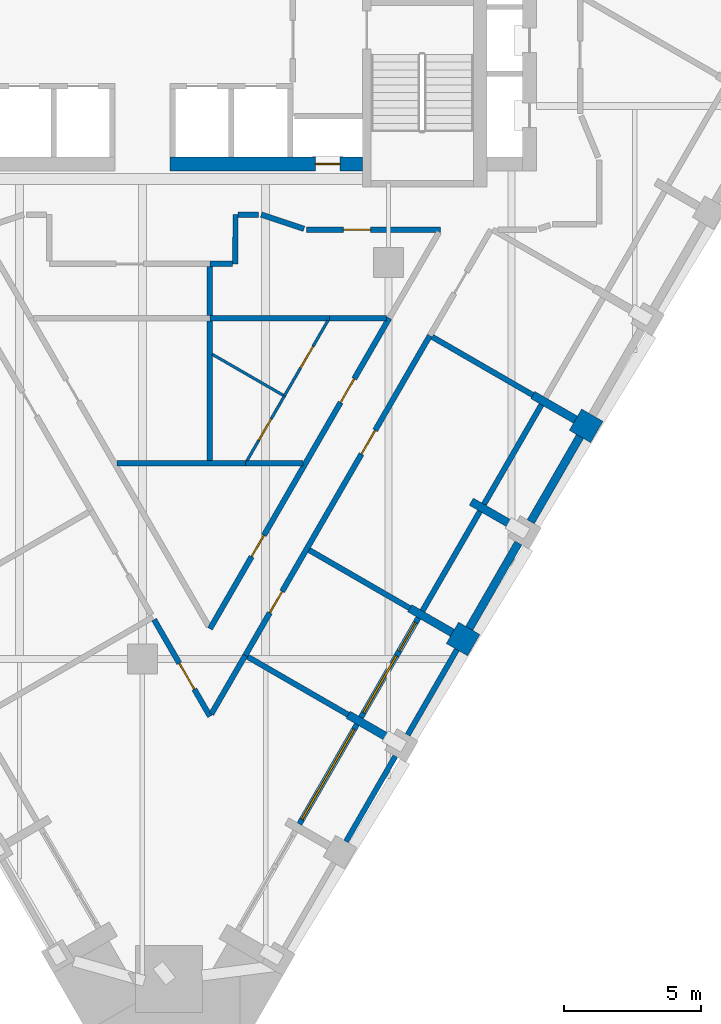
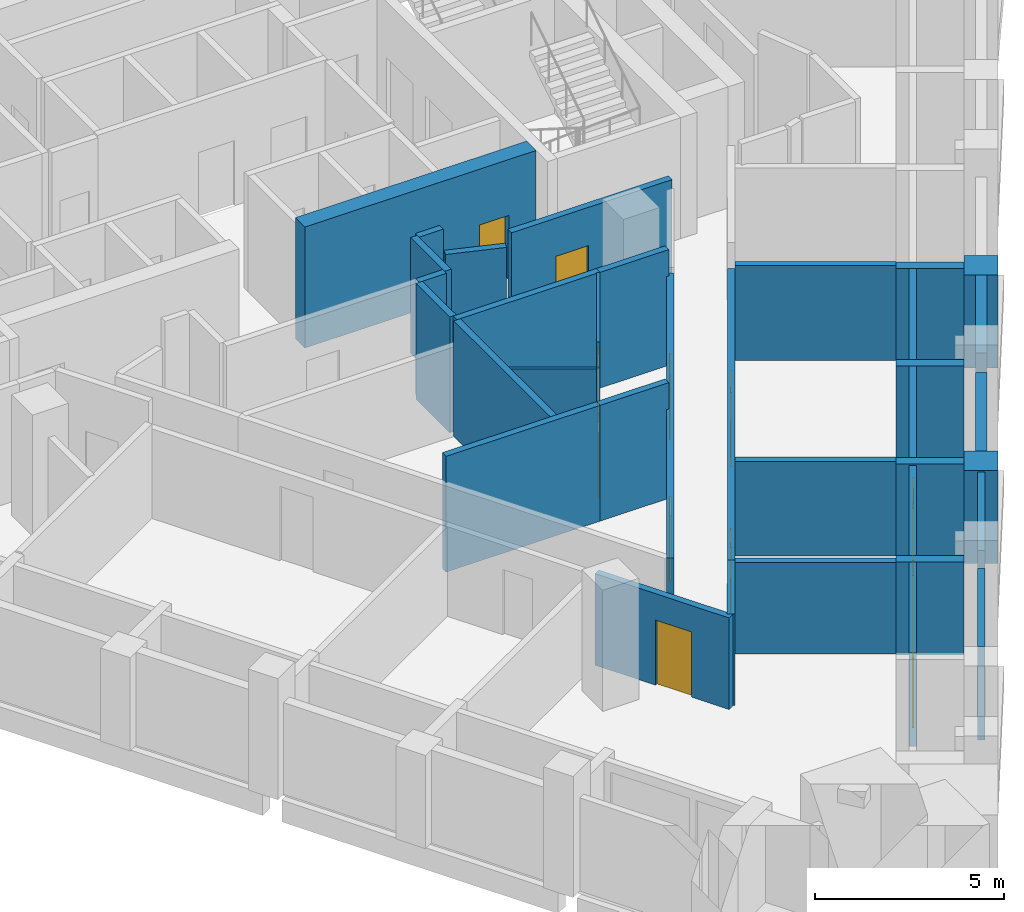
# One storey, part 4 of 9: 36 walls, 10 doors, 2 windows, 12 openings.
"""IFC4 building model written with IfcOpenShell, lengths in metres."""

from ifc_helpers import new_model, si_unit, direction, frame, frame_2d, origin, place, context, subcontext, project, spatial, rectangle, extrude, material, layer, layer_set, type_object, element, fill, save


model = new_model("IFC4")

# Units and contexts
model_context = context("Model", 3, precision=1e-05, world=origin(), true_north=direction((0.0, 1.0)))
body_context = subcontext(model_context, "Body", "Model", "MODEL_VIEW")
ifc_project = project(units=[si_unit("LENGTHUNIT", "METRE"), si_unit("AREAUNIT", "SQUARE_METRE"), si_unit("VOLUMEUNIT", "CUBIC_METRE"), si_unit("PLANEANGLEUNIT", "RADIAN"), si_unit("MASSUNIT", "GRAM", prefix="KILO")], contexts=[model_context])

# Site, building, storey
site_placement = place(None, origin())
site = spatial("IfcSite", under=ifc_project, at=site_placement, CompositionType="ELEMENT")
building_placement = place(site_placement, origin())
building = spatial("IfcBuilding", under=site, at=building_placement, Name="Calabash Gate Tower", CompositionType="ELEMENT")
storey_placement = place(building_placement, frame((0.0, 0.0, 215.89990234375)))
storey = spatial("IfcBuildingStorey", under=building, at=storey_placement, Name="L51", CompositionType="ELEMENT", Elevation=215.89990234375)

# Walls
ifc_material_1 = material(Name="Terracotta brick masonry, exposed face", Category="masonry")
ifc_layer_1 = layer(ifc_material_1, 0.89990234375)
ifc_layer_set_1 = layer_set([ifc_layer_1], Name="Brick end wall 900")
wall_type_1 = type_object("IfcWallType", Name="Brick end wall 900", PredefinedType="SOLIDWALL", material=ifc_layer_set_1)
wall_1_placement = place(storey_placement, frame((11.49755859375, -11.65576171875, 0.0), z_axis=(0.0, 0.0, 1.0), x_axis=(0.50001992892, 0.866013897511, 0.0)))
element("IfcWall", 1, at=wall_1_placement, inside=storey, type_object=wall_type_1, Name="Brick pier S14 SE2.3", PredefinedType="SOLIDWALL", context=body_context, shape_type="SweptSolid", body=[
    extrude(rectangle(XDim=0.89990234375, YDim=0.89990234375, at=frame_2d((0.449951171875, 0.0))), origin(), (0.0, 0.0, 1.0), 3.0),
])
wall_2_placement = place(storey_placement, frame((16.6123046875, -3.697021484375, 0.0), z_axis=(0.0, 0.0, 1.0), x_axis=(-0.865964261186, 0.500105887137, 0.0)))
element("IfcWall", 2, at=wall_2_placement, inside=storey, type_object=wall_type_1, Name="Brick pier S14 SE2.5", PredefinedType="SOLIDWALL", context=body_context, shape_type="SweptSolid", body=[
    extrude(rectangle(XDim=0.900146484375, YDim=0.89990234375, at=frame_2d((0.4501953125, 0.0))), origin(), (0.0, 0.0, 1.0), 3.0),
])
ifc_material_2 = material(Name="Terracotta brick masonry, exposed face", Category="masonry")
ifc_layer_2 = layer(ifc_material_2, 0.300048828125)
ifc_layer_set_2 = layer_set([ifc_layer_2], Name="Brick infill panel wall 300")
wall_type_2 = type_object("IfcWallType", Name="Brick infill panel wall 300", PredefinedType="SOLIDWALL", material=ifc_layer_set_2)
for number, where, z_axis, x_axis, name in (
    (3, (11.947509765625, -10.87646484375, 0.0), (0.0, 0.0, 1.0), (0.500012057535, 0.866018442252, 0.0), "Brick panel S14 SE2.4"),
    (4, (14.197509765625, -6.979248046875, 0.0), (0.0, 0.0, 1.0), (0.500012057535, 0.866018442252, 0.0), "Brick panel S14 SE2.5"),
):
    element("IfcWall", number, at=place(storey_placement, frame(where, z_axis=z_axis, x_axis=x_axis)), inside=storey, type_object=wall_type_2, Name=name, PredefinedType="SOLIDWALL", context=body_context, shape_type="SweptSolid", body=[
        extrude(rectangle(XDim=3.60009765625, YDim=0.300048828125, at=frame_2d((1.800048828125, 0.0))), origin(), (0.0, 0.0, 1.0), 3.0),
    ])
ifc_material_3 = material(Name="Terracotta brick masonry, exposed face", Category="masonry")
ifc_layer_3 = layer(ifc_material_3, 0.300048828125)
ifc_layer_set_3 = layer_set([ifc_layer_3], Name="Brick loggia cheek wall 300")
wall_type_3 = type_object("IfcWallType", Name="Brick loggia cheek wall 300", PredefinedType="SOLIDWALL", material=ifc_layer_set_3)
for number, where, z_axis, x_axis, name in (
    (5, (9.082763671875, -14.938232421875, 0.0), (0.0, 0.0, 1.0), (-0.866047807691, 0.499961193289, 0.0), "Loggia cheek S14 SE2.2"),
    (6, (11.332763671875, -11.041259765625, 0.0), (0.0, 0.0, 1.0), (-0.865989075817, 0.500062916607, 0.0), "Loggia cheek S14 SE2.3"),
    (7, (12.02392578125, -6.244140625, 0.0), (0.0, 0.0, 1.0), (0.866047807691, -0.499961193289, 0.0), "Loggia cheek S14 SE2.4"),
    (8, (15.832763671875, -3.246826171875, 0.0), (0.0, 0.0, 1.0), (-0.866047807691, 0.499961193289, 0.0), "Loggia cheek S14 SE2.5"),
):
    element("IfcWall", number, at=place(storey_placement, frame(where, z_axis=z_axis, x_axis=x_axis)), inside=storey, type_object=wall_type_3, Name=name, PredefinedType="SOLIDWALL", context=body_context, shape_type="SweptSolid", body=[
        extrude(rectangle(XDim=1.800048828125, YDim=0.300048828125, at=frame_2d((0.89990234375, 0.0))), origin(), (0.0, 0.0, 1.0), 3.0),
    ])

# Wall, opening, door
ifc_material_4 = material(Name="Concrete C70/85", Category="concrete")
ifc_layer_4 = layer(ifc_material_4, 0.5)
ifc_layer_set_4 = layer_set([ifc_layer_4], Name="Core wall 500 Concrete C70/85")
wall_type_4 = type_object("IfcWallType", Name="Core wall 500 Concrete C70/85", PredefinedType="SHEAR", material=ifc_layer_set_4)
wall_3_placement = place(storey_placement, frame((1.0, 6.1025390625, 0.0), z_axis=(0.0, 0.0, 1.0), x_axis=(1.0, 0.0, 0.0)))
wall_3 = element("IfcWall", 9, at=wall_3_placement, inside=storey, type_object=wall_type_4, Name="Core wall Z4-SB L51", PredefinedType="SHEAR", context=body_context, shape_type="SweptSolid", body=[
    extrude(rectangle(XDim=7.050048828125, YDim=0.5, at=frame_2d((3.52490234375, 0.0))), origin(), (0.0, 0.0, 1.0), 3.900146484375),
])
opening_1_placement = place(wall_3_placement, frame((5.324951171875, 0.0, 0.0)))
opening_1 = element("IfcOpeningElement", 10, at=opening_1_placement, cuts=wall_3, Name="Opening O6-015", PredefinedType="OPENING", context=body_context, shape_type="SweptSolid", body=[
    extrude(rectangle(XDim=0.89990234375, YDim=2.10009765625, at=frame_2d((0.449951171875, 1.050048828125))), frame((0.0, 0.260009765625, 0.0), z_axis=(0.0, -1.0, 0.0), x_axis=(1.0, 0.0, 0.0)), (0.0, 0.0, 1.0), 0.52001953125),
])
ifc_material_5 = material(Name="Steel fire door set with fire-resisting glazing", Category="steel")
door_type_1 = type_object("IfcDoorType", Name="Fire door D07 900x2100 FD90", OperationType="NOTDEFINED", PredefinedType="DOOR", material=ifc_material_5)
door_1_placement = place(opening_1_placement, origin())
door_1 = element("IfcDoor", 11, at=door_1_placement, inside=storey, type_object=door_type_1, Name="Mechanical Riser E door", OperationType="SINGLE_SWING_RIGHT", OverallHeight=2.10009765625, OverallWidth=0.89990234375, PredefinedType="DOOR", context=body_context, shape_type="SweptSolid", body=[
    extrude(rectangle(XDim=0.89990234375, YDim=2.10009765625, at=frame_2d((0.449951171875, 1.050048828125))), frame((0.0, 0.02490234375, 0.0), z_axis=(0.0, -1.0, 0.0), x_axis=(1.0, 0.0, 0.0)), (0.0, 0.0, 1.0), 0.050048828125),
])
fill(opening_1, door_1)

ifc_material_6 = material(Name="Gypsum board on steel studs, mineral wool", Category="steel")
ifc_layer_5 = layer(ifc_material_6, 0.10009765625)
ifc_layer_set_5 = layer_set([ifc_layer_5], Name="Partition 100 gypsum board")
wall_type_5 = type_object("IfcWallType", Name="Partition 100 gypsum board", PredefinedType="PARTITIONING", material=ifc_layer_set_5)
wall_4_placement = place(storey_placement, frame((3.821044921875, -4.748291015625, 0.0), z_axis=(0.0, 0.0, 1.0), x_axis=(0.500518638442, 0.865725760603, 0.0)))
wall_4 = element("IfcWall", 12, at=wall_4_placement, inside=storey, type_object=wall_type_5, Name="Partition", PredefinedType="PARTITIONING", context=body_context, shape_type="SweptSolid", body=[
    extrude(rectangle(XDim=2.7333984375, YDim=0.10009765625, at=frame_2d((1.36669921875, 0.0))), origin(), (0.0, 0.0, 1.0), 2.88427734375),
])
opening_2_placement = place(wall_4_placement, frame((0.8671875, 0.0, 0.0)))
opening_2 = element("IfcOpeningElement", 13, at=opening_2_placement, cuts=wall_4, Name="Opening 49-51-017", PredefinedType="OPENING", context=body_context, shape_type="SweptSolid", body=[
    extrude(rectangle(XDim=0.89990234375, YDim=2.10009765625, at=frame_2d((0.449951171875, 1.050048828125))), frame((0.0, 0.06005859375, 0.0), z_axis=(0.0, -1.0, 0.0), x_axis=(1.0, 0.0, 0.0)), (0.0, 0.0, 1.0), 0.1201171875),
])
ifc_material_7 = material(Name="Painted timber door", Category="wood")
door_type_2 = type_object("IfcDoorType", Name="WD1 WC door 900x2100", OperationType="NOTDEFINED", PredefinedType="DOOR", material=ifc_material_7)
door_2_placement = place(opening_2_placement, origin())
door_2 = element("IfcDoor", 14, at=door_2_placement, inside=storey, type_object=door_type_2, Name="WC door", OperationType="SINGLE_SWING_LEFT", OverallHeight=2.10009765625, OverallWidth=0.89990234375, PredefinedType="DOOR", context=body_context, shape_type="SweptSolid", body=[
    extrude(rectangle(XDim=0.89990234375, YDim=2.10009765625, at=frame_2d((0.449951171875, 1.050048828125))), frame((0.0, 0.02490234375, 0.0), z_axis=(0.0, -1.0, 0.0), x_axis=(1.0, 0.0, 0.0)), (0.0, 0.0, 1.0), 0.050048828125),
])
fill(opening_2, door_2)

wall_5_placement = place(storey_placement, frame((5.188720703125, -2.37939453125, 0.0), z_axis=(0.0, 0.0, 1.0), x_axis=(0.500398861512, 0.865794998482, 0.0)))
wall_5 = element("IfcWall", 15, at=wall_5_placement, inside=storey, type_object=wall_type_5, Name="Partition", PredefinedType="PARTITIONING", context=body_context, shape_type="SweptSolid", body=[
    extrude(rectangle(XDim=3.1865234375, YDim=0.10009765625, at=frame_2d((1.59326171875, 0.0))), origin(), (0.0, 0.0, 1.0), 3.72998046875),
])
opening_3_placement = place(wall_5_placement, frame((1.1923828125, 0.0, 0.0)))
opening_3 = element("IfcOpeningElement", 16, at=opening_3_placement, cuts=wall_5, Name="Opening 49-51-018", PredefinedType="OPENING", context=body_context, shape_type="SweptSolid", body=[
    extrude(rectangle(XDim=0.89990234375, YDim=2.10009765625, at=frame_2d((0.449951171875, 1.050048828125))), frame((0.0, 0.06005859375, 0.0), z_axis=(0.0, -1.0, 0.0), x_axis=(1.0, 0.0, 0.0)), (0.0, 0.0, 1.0), 0.1201171875),
])
door_3_placement = place(opening_3_placement, origin())
door_3 = element("IfcDoor", 17, at=door_3_placement, inside=storey, type_object=door_type_2, Name="WC door", OperationType="SINGLE_SWING_RIGHT", OverallHeight=2.10009765625, OverallWidth=0.89990234375, PredefinedType="DOOR", context=body_context, shape_type="SweptSolid", body=[
    extrude(rectangle(XDim=0.89990234375, YDim=2.10009765625, at=frame_2d((0.449951171875, 1.050048828125))), frame((0.0, 0.02490234375, 0.0), z_axis=(0.0, -1.0, 0.0), x_axis=(1.0, 0.0, 0.0)), (0.0, 0.0, 1.0), 0.050048828125),
])
fill(opening_3, door_3)

# Wall
wall_6_placement = place(storey_placement, frame((2.552490234375, -0.857666015625, 0.0), z_axis=(0.0, 0.0, 1.0), x_axis=(0.866076950936, -0.499910707084, 0.0)))
element("IfcWall", 18, at=wall_6_placement, inside=storey, type_object=wall_type_5, Name="Partition", PredefinedType="PARTITIONING", context=body_context, shape_type="SweptSolid", body=[
    extrude(rectangle(XDim=2.99365234375, YDim=0.10009765625, at=frame_2d((1.496826171875, 0.0))), origin(), (0.0, 0.0, 1.0), 2.88427734375),
])

# Wall, opening, door
ifc_material_8 = material(Name="Gypsum board on steel studs, mineral wool", Category="steel")
ifc_layer_6 = layer(ifc_material_8, 0.199951171875)
ifc_layer_set_6 = layer_set([ifc_layer_6], Name="Partition 200 gypsum board EI 60")
wall_type_6 = type_object("IfcWallType", Name="Partition 200 gypsum board EI 60", PredefinedType="PARTITIONING", material=ifc_layer_set_6)
wall_7_placement = place(storey_placement, frame((0.42578125, -10.558349609375, 0.0), z_axis=(0.0, 0.0, 1.0), x_axis=(0.500350308999, -0.865823058301, 0.0)))
wall_7 = element("IfcWall", 19, at=wall_7_placement, inside=storey, type_object=wall_type_6, Name="Partition", PredefinedType="PARTITIONING", context=body_context, shape_type="SweptSolid", body=[
    extrude(rectangle(XDim=4.08349609375, YDim=0.199951171875, at=frame_2d((2.041748046875, 0.0))), origin(), (0.0, 0.0, 1.0), 2.9501953125),
])
opening_4_placement = place(wall_7_placement, frame((1.841552734375, 0.0, 0.0)))
opening_4 = element("IfcOpeningElement", 20, at=opening_4_placement, cuts=wall_7, Name="Opening 49-51-015", PredefinedType="OPENING", context=body_context, shape_type="SweptSolid", body=[
    extrude(rectangle(XDim=1.10009765625, YDim=2.10009765625, at=frame_2d((0.550048828125, 1.050048828125))), frame((0.0, 0.10986328125, 0.0), z_axis=(0.0, -1.0, 0.0), x_axis=(1.0, 0.0, 0.0)), (0.0, 0.0, 1.0), 0.219970703125),
])
ifc_material_9 = material(Name="Steel fire door set with fire-resisting glazing", Category="steel")
door_type_3 = type_object("IfcDoorType", Name="GD3 Suite entrance door 1100x2100", OperationType="NOTDEFINED", PredefinedType="DOOR", material=ifc_material_9)
door_4_placement = place(opening_4_placement, origin())
door_4 = element("IfcDoor", 21, at=door_4_placement, inside=storey, type_object=door_type_3, Name="Suite entrance door", OperationType="SINGLE_SWING_LEFT", OverallHeight=2.10009765625, OverallWidth=1.10009765625, PredefinedType="DOOR", context=body_context, shape_type="SweptSolid", body=[
    extrude(rectangle(XDim=1.10009765625, YDim=2.10009765625, at=frame_2d((0.550048828125, 1.050048828125))), frame((0.0, 0.02490234375, 0.0), z_axis=(0.0, -1.0, 0.0), x_axis=(1.0, 0.0, 0.0)), (0.0, 0.0, 1.0), 0.050048828125),
])
fill(opening_4, door_4)

# Walls
wall_8_placement = place(storey_placement, frame((3.843017578125, -11.915283203125, 0.0), z_axis=(0.0, 0.0, 1.0), x_axis=(0.866177933903, -0.499735716973, 0.0)))
element("IfcWall", 22, at=wall_8_placement, inside=storey, type_object=wall_type_6, Name="Partition", PredefinedType="PARTITIONING", context=body_context, shape_type="SweptSolid", body=[
    extrude(rectangle(XDim=4.249267578125, YDim=0.199951171875, at=frame_2d((2.12451171875, 0.0))), origin(), (0.0, 0.0, 1.0), 2.9501953125),
])
wall_9_placement = place(storey_placement, frame((2.51904296875, -14.00732421875, 0.0), z_axis=(0.0, 0.0, 1.0), x_axis=(0.500678517204, 0.865633307128, 0.0)))
element("IfcWall", 23, at=wall_9_placement, inside=storey, type_object=wall_type_6, Name="Partition", PredefinedType="PARTITIONING", context=body_context, shape_type="SweptSolid", body=[
    extrude(rectangle(XDim=2.47509765625, YDim=0.199951171875, at=frame_2d((1.237548828125, 0.0))), origin(), (0.0, 0.0, 1.0), 2.9501953125),
])

# Wall, openings, doors
wall_10_placement = place(storey_placement, frame((2.46923828125, -10.89306640625, 0.0), z_axis=(0.0, 0.0, 1.0), x_axis=(0.499769731946, 0.866158308296, 0.0)))
wall_10 = element("IfcWall", 24, at=wall_10_placement, inside=storey, type_object=wall_type_6, Name="Partition", PredefinedType="PARTITIONING", context=body_context, shape_type="SweptSolid", body=[
    extrude(rectangle(XDim=13.113037109375, YDim=0.199951171875, at=frame_2d((6.556640625, 0.0))), origin(), (0.0, 0.0, 1.0), 2.88427734375),
])
opening_5_placement = place(wall_10_placement, frame((3.047607421875, 0.0, 0.0)))
opening_5 = element("IfcOpeningElement", 25, at=opening_5_placement, cuts=wall_10, Name="Opening 49-51-009", PredefinedType="OPENING", context=body_context, shape_type="SweptSolid", body=[
    extrude(rectangle(XDim=0.89990234375, YDim=2.10009765625, at=frame_2d((0.449951171875, 1.050048828125))), frame((0.0, 0.10986328125, 0.0), z_axis=(0.0, -1.0, 0.0), x_axis=(1.0, 0.0, 0.0)), (0.0, 0.0, 1.0), 0.219970703125),
])
opening_6_placement = place(wall_10_placement, frame((9.5556640625, 0.0, 0.0)))
opening_6 = element("IfcOpeningElement", 26, at=opening_6_placement, cuts=wall_10, Name="Opening 49-51-016", PredefinedType="OPENING", context=body_context, shape_type="SweptSolid", body=[
    extrude(rectangle(XDim=1.0, YDim=2.10009765625, at=frame_2d((0.5, 1.050048828125))), frame((0.0, 0.10986328125, 0.0), z_axis=(0.0, -1.0, 0.0), x_axis=(1.0, 0.0, 0.0)), (0.0, 0.0, 1.0), 0.219970703125),
])
ifc_material_10 = material(Name="Steel fire door set with fire-resisting glazing", Category="steel")
door_type_4 = type_object("IfcDoorType", Name="SD3 Store door 900x2100", OperationType="NOTDEFINED", PredefinedType="DOOR", material=ifc_material_10)
door_5_placement = place(opening_5_placement, origin())
door_5 = element("IfcDoor", 27, at=door_5_placement, inside=storey, type_object=door_type_4, Name="Store door", OperationType="SINGLE_SWING_LEFT", OverallHeight=2.10009765625, OverallWidth=0.89990234375, PredefinedType="DOOR", context=body_context, shape_type="SweptSolid", body=[
    extrude(rectangle(XDim=0.89990234375, YDim=2.10009765625, at=frame_2d((0.449951171875, 1.050048828125))), frame((0.0, 0.02490234375, 0.0), z_axis=(0.0, -1.0, 0.0), x_axis=(1.0, 0.0, 0.0)), (0.0, 0.0, 1.0), 0.050048828125),
])
fill(opening_5, door_5)
ifc_material_11 = material(Name="Steel fire door set with fire-resisting glazing", Category="steel")
door_type_5 = type_object("IfcDoorType", Name="WD3 WC lobby door 1000x2100", OperationType="NOTDEFINED", PredefinedType="DOOR", material=ifc_material_11)
door_6_placement = place(opening_6_placement, origin())
door_6 = element("IfcDoor", 28, at=door_6_placement, inside=storey, type_object=door_type_5, Name="WC lobby door", OperationType="SINGLE_SWING_RIGHT", OverallHeight=2.10009765625, OverallWidth=1.0, PredefinedType="DOOR", context=body_context, shape_type="SweptSolid", body=[
    extrude(rectangle(XDim=1.0, YDim=2.10009765625, at=frame_2d((0.5, 1.050048828125))), frame((0.0, 0.02490234375, 0.0), z_axis=(0.0, -1.0, 0.0), x_axis=(1.0, 0.0, 0.0)), (0.0, 0.0, 1.0), 0.050048828125),
])
fill(opening_6, door_6)

# Walls
wall_11_placement = place(storey_placement, frame((6.094482421875, -8.014404296875, 0.0), z_axis=(0.0, 0.0, 1.0), x_axis=(0.865797051121, -0.50039531, 0.0)))
element("IfcWall", 29, at=wall_11_placement, inside=storey, type_object=wall_type_6, Name="Partition", PredefinedType="PARTITIONING", context=body_context, shape_type="SweptSolid", body=[
    extrude(rectangle(XDim=4.25, YDim=0.199951171875, at=frame_2d((2.125, 0.0))), origin(), (0.0, 0.0, 1.0), 3.052001953125),
])
wall_12_placement = place(storey_placement, frame((-0.92529296875, -4.8369140625, 0.0), z_axis=(0.0, 0.0, 1.0), x_axis=(0.999999933905, 0.000363579678, 0.0)))
element("IfcWall", 30, at=wall_12_placement, inside=storey, type_object=wall_type_6, Name="Partition", PredefinedType="PARTITIONING", context=body_context, shape_type="SweptSolid", body=[
    extrude(rectangle(XDim=4.700439453125, YDim=0.199951171875, at=frame_2d((2.35009765625, 0.0))), origin(), (0.0, 0.0, 1.0), 3.72998046875),
])
wall_13_placement = place(storey_placement, frame((3.77099609375, -4.835205078125, 0.0), z_axis=(0.0, 0.0, 1.0), x_axis=(0.999999666495, -0.00081670723, 0.0)))
element("IfcWall", 31, at=wall_13_placement, inside=storey, type_object=wall_type_6, Name="Partition", PredefinedType="PARTITIONING", context=body_context, shape_type="SweptSolid", body=[
    extrude(rectangle(XDim=2.092529296875, YDim=0.199951171875, at=frame_2d((1.04638671875, 0.0))), origin(), (0.0, 0.0, 1.0), 3.72998046875),
])
wall_14_placement = place(storey_placement, frame((10.59619140625, -0.22119140625, 0.0), z_axis=(0.0, 0.0, 1.0), x_axis=(0.86582081126, -0.500354197333, 0.0)))
element("IfcWall", 32, at=wall_14_placement, inside=storey, type_object=wall_type_6, Name="Partition", PredefinedType="PARTITIONING", context=body_context, shape_type="SweptSolid", body=[
    extrude(rectangle(XDim=4.248046875, YDim=0.199951171875, at=frame_2d((2.1240234375, 0.0))), origin(), (0.0, 0.0, 1.0), 3.052001953125),
])

# Wall, openings, doors
wall_15_placement = place(storey_placement, frame((3.758544921875, -11.8642578125, 0.0), z_axis=(0.0, 0.0, 1.0), x_axis=(0.499997969693, 0.866026575979, 0.0)))
wall_15 = element("IfcWall", 33, at=wall_15_placement, inside=storey, type_object=wall_type_6, Name="Partition", PredefinedType="PARTITIONING", context=body_context, shape_type="SweptSolid", body=[
    extrude(rectangle(XDim=13.5, YDim=0.199951171875, at=frame_2d((6.75, 0.0))), origin(), (0.0, 0.0, 1.0), 2.88427734375),
])
opening_7_placement = place(wall_15_placement, frame((1.7998046875, 0.0, 0.0)))
opening_7 = element("IfcOpeningElement", 34, at=opening_7_placement, cuts=wall_15, Name="Opening 49-51-003", PredefinedType="OPENING", context=body_context, shape_type="SweptSolid", body=[
    extrude(rectangle(XDim=0.89990234375, YDim=2.10009765625, at=frame_2d((0.449951171875, 1.050048828125))), frame((0.0, 0.10986328125, 0.0), z_axis=(0.0, -1.0, 0.0), x_axis=(1.0, 0.0, 0.0)), (0.0, 0.0, 1.0), 0.219970703125),
])
opening_8_placement = place(wall_15_placement, frame((8.5, 0.0, 0.0)))
opening_8 = element("IfcOpeningElement", 35, at=opening_8_placement, cuts=wall_15, Name="Opening 49-51-004", PredefinedType="OPENING", context=body_context, shape_type="SweptSolid", body=[
    extrude(rectangle(XDim=1.0, YDim=2.39990234375, at=frame_2d((0.5, 1.199951171875))), frame((0.0, 0.10986328125, 0.0), z_axis=(0.0, -1.0, 0.0), x_axis=(1.0, 0.0, 0.0)), (0.0, 0.0, 1.0), 0.219970703125),
])
ifc_material_12 = material(Name="Painted timber door", Category="wood")
door_type_6 = type_object("IfcDoorType", Name="OD1 Office door 900x2100", OperationType="NOTDEFINED", PredefinedType="DOOR", material=ifc_material_12)
door_7_placement = place(opening_7_placement, origin())
door_7 = element("IfcDoor", 36, at=door_7_placement, inside=storey, type_object=door_type_6, Name="Office door", OperationType="SINGLE_SWING_RIGHT", OverallHeight=2.10009765625, OverallWidth=0.89990234375, PredefinedType="DOOR", context=body_context, shape_type="SweptSolid", body=[
    extrude(rectangle(XDim=0.89990234375, YDim=2.10009765625, at=frame_2d((0.449951171875, 1.050048828125))), frame((0.0, 0.02490234375, 0.0), z_axis=(0.0, -1.0, 0.0), x_axis=(1.0, 0.0, 0.0)), (0.0, 0.0, 1.0), 0.050048828125),
])
fill(opening_7, door_7)
ifc_material_13 = material(Name="Painted timber door", Category="wood")
door_type_7 = type_object("IfcDoorType", Name="OD2 Glazed office door 1000x2400", OperationType="NOTDEFINED", PredefinedType="DOOR", material=ifc_material_13)
door_8_placement = place(opening_8_placement, origin())
door_8 = element("IfcDoor", 37, at=door_8_placement, inside=storey, type_object=door_type_7, Name="Glazed office door", OperationType="SINGLE_SWING_LEFT", OverallHeight=2.39990234375, OverallWidth=1.0, PredefinedType="DOOR", context=body_context, shape_type="SweptSolid", body=[
    extrude(rectangle(XDim=1.0, YDim=2.39990234375, at=frame_2d((0.5, 1.199951171875))), frame((0.0, 0.02490234375, 0.0), z_axis=(0.0, -1.0, 0.0), x_axis=(1.0, 0.0, 0.0)), (0.0, 0.0, 1.0), 0.050048828125),
])
fill(opening_8, door_8)

# Walls
wall_16_placement = place(storey_placement, frame((2.4677734375, -4.835205078125, 0.0), z_axis=(0.0, 0.0, 1.0), x_axis=(0.0, 1.0, 0.0)))
element("IfcWall", 38, at=wall_16_placement, inside=storey, type_object=wall_type_6, Name="Partition", PredefinedType="PARTITIONING", context=body_context, shape_type="SweptSolid", body=[
    extrude(rectangle(XDim=5.19921875, YDim=0.199951171875, at=frame_2d((2.599609375, 0.0))), origin(), (0.0, 0.0, 1.0), 3.72998046875),
])
wall_17_placement = place(storey_placement, frame((6.83349609375, 0.4658203125, 0.0), z_axis=(0.0, 0.0, 1.0), x_axis=(0.999999665949, -0.000817374785, 0.0)))
element("IfcWall", 39, at=wall_17_placement, inside=storey, type_object=wall_type_6, Name="Partition", PredefinedType="PARTITIONING", context=body_context, shape_type="SweptSolid", body=[
    extrude(rectangle(XDim=2.0908203125, YDim=0.199951171875, at=frame_2d((1.04541015625, 0.0))), origin(), (0.0, 0.0, 1.0), 3.72998046875),
])
wall_18_placement = place(storey_placement, frame((2.4677734375, 0.464111328125, 0.0), z_axis=(0.0, 0.0, 1.0), x_axis=(0.999999923373, 0.000391476957, 0.0)))
element("IfcWall", 40, at=wall_18_placement, inside=storey, type_object=wall_type_6, Name="Partition", PredefinedType="PARTITIONING", context=body_context, shape_type="SweptSolid", body=[
    extrude(rectangle(XDim=4.365478515625, YDim=0.199951171875, at=frame_2d((2.1826171875, 0.0))), origin(), (0.0, 0.0, 1.0), 3.72998046875),
])
wall_19_placement = place(storey_placement, frame((2.466064453125, 0.56591796875, 0.0), z_axis=(0.0, 0.0, 1.0), x_axis=(0.000820793157, 0.999999663149, 0.0)))
element("IfcWall", 41, at=wall_19_placement, inside=storey, type_object=wall_type_6, Name="Partition", PredefinedType="PARTITIONING", context=body_context, shape_type="SweptSolid", body=[
    extrude(rectangle(XDim=1.78466796875, YDim=0.199951171875, at=frame_2d((0.892333984375, 0.0))), origin(), (0.0, 0.0, 1.0), 3.72998046875),
])
wall_20_placement = place(storey_placement, frame((2.4677734375, 2.45068359375, 0.0), z_axis=(0.0, 0.0, 1.0), x_axis=(0.999997893042, 0.002052781599, 0.0)))
element("IfcWall", 42, at=wall_20_placement, inside=storey, type_object=wall_type_6, Name="Partition", PredefinedType="PARTITIONING", context=body_context, shape_type="SweptSolid", body=[
    extrude(rectangle(XDim=0.83251953125, YDim=0.199951171875, at=frame_2d((0.416259765625, 0.0))), origin(), (0.0, 0.0, 1.0), 3.72998046875),
])

# Wall, opening, door
wall_21_placement = place(storey_placement, frame((6.0, 3.69970703125, 0.0), z_axis=(0.0, 0.0, 1.0), x_axis=(1.0, 0.0, 0.0)))
wall_21 = element("IfcWall", 43, at=wall_21_placement, inside=storey, type_object=wall_type_6, Name="Partition", PredefinedType="PARTITIONING", context=body_context, shape_type="SweptSolid", body=[
    extrude(rectangle(XDim=4.894287109375, YDim=0.199951171875, at=frame_2d((2.447265625, 0.0))), origin(), (0.0, 0.0, 1.0), 3.331787109375),
])
opening_9_placement = place(wall_21_placement, frame((1.34716796875, 0.0, 0.0)))
opening_9 = element("IfcOpeningElement", 44, at=opening_9_placement, cuts=wall_21, Name="Opening 49-51-007", PredefinedType="OPENING", context=body_context, shape_type="SweptSolid", body=[
    extrude(rectangle(XDim=1.0, YDim=2.10009765625, at=frame_2d((0.5, 1.050048828125))), frame((0.0, 0.10986328125, 0.0), z_axis=(0.0, -1.0, 0.0), x_axis=(1.0, 0.0, 0.0)), (0.0, 0.0, 1.0), 0.219970703125),
])
ifc_material_14 = material(Name="Steel fire door set with fire-resisting glazing", Category="steel")
door_type_8 = type_object("IfcDoorType", Name="VD1 Vault door 1000x2100", OperationType="NOTDEFINED", PredefinedType="DOOR", material=ifc_material_14)
door_9_placement = place(opening_9_placement, origin())
door_9 = element("IfcDoor", 45, at=door_9_placement, inside=storey, type_object=door_type_8, Name="Vault door", OperationType="SINGLE_SWING_RIGHT", OverallHeight=2.10009765625, OverallWidth=1.0, PredefinedType="DOOR", context=body_context, shape_type="SweptSolid", body=[
    extrude(rectangle(XDim=1.0, YDim=2.10009765625, at=frame_2d((0.5, 1.050048828125))), frame((0.0, 0.02490234375, 0.0), z_axis=(0.0, -1.0, 0.0), x_axis=(1.0, 0.0, 0.0)), (0.0, 0.0, 1.0), 0.050048828125),
])
fill(opening_9, door_9)

# Walls
wall_22_placement = place(storey_placement, frame((4.34228515625, 4.25244140625, 0.0), z_axis=(0.0, 0.0, 1.0), x_axis=(0.948668476379, -0.316272227557, 0.0)))
element("IfcWall", 46, at=wall_22_placement, inside=storey, type_object=wall_type_6, Name="Partition", PredefinedType="PARTITIONING", context=body_context, shape_type="SweptSolid", body=[
    extrude(rectangle(XDim=1.647216796875, YDim=0.199951171875, at=frame_2d((0.82373046875, 0.0))), origin(), (0.0, 0.0, 1.0), 2.88427734375),
])
wall_23_placement = place(storey_placement, frame((3.400146484375, 2.452392578125, 0.0), z_axis=(0.0, 0.0, 1.0), x_axis=(0.001086217961, 0.999999410065, 0.0)))
element("IfcWall", 47, at=wall_23_placement, inside=storey, type_object=wall_type_6, Name="Partition", PredefinedType="PARTITIONING", context=body_context, shape_type="SweptSolid", body=[
    extrude(rectangle(XDim=1.798095703125, YDim=0.199951171875, at=frame_2d((0.89892578125, 0.0))), origin(), (0.0, 0.0, 1.0), 3.72998046875),
])
wall_24_placement = place(storey_placement, frame((3.501953125, 4.250732421875, 0.0), z_axis=(0.0, 0.0, 1.0), x_axis=(0.999998041999, 0.001978887946, 0.0)))
element("IfcWall", 48, at=wall_24_placement, inside=storey, type_object=wall_type_6, Name="Partition", PredefinedType="PARTITIONING", context=body_context, shape_type="SweptSolid", body=[
    extrude(rectangle(XDim=0.740234375, YDim=0.199951171875, at=frame_2d((0.3701171875, 0.0))), origin(), (0.0, 0.0, 1.0), 3.72998046875),
])
ifc_material_15 = material(Name="Terracotta brick masonry, perforated", Category="masonry")
ifc_layer_7 = layer(ifc_material_15, 0.199951171875)
ifc_layer_set_7 = layer_set([ifc_layer_7], Name="Terracotta jaali screen B")
wall_type_7 = type_object("IfcWallType", Name="Terracotta jaali screen B", PredefinedType="SOLIDWALL", material=ifc_layer_set_7)
wall_25_placement = place(storey_placement, frame((7.447509765625, -18.670654296875, 0.0), z_axis=(0.0, 0.0, 1.0), x_axis=(0.500012057535, 0.866018442252, 0.0)))
element("IfcWall", 49, at=wall_25_placement, inside=storey, type_object=wall_type_7, Name="SCREEN B S14 SE2.2", PredefinedType="SOLIDWALL", context=body_context, shape_type="SweptSolid", body=[
    extrude(rectangle(XDim=3.60009765625, YDim=0.199951171875, at=frame_2d((1.800048828125, 0.0))), origin(), (0.0, 0.0, 1.0), 3.0),
])
wall_26_placement = place(storey_placement, frame((9.697509765625, -14.7734375, 0.0), z_axis=(0.0, 0.0, 1.0), x_axis=(0.500012057535, 0.866018442252, 0.0)))
element("IfcWall", 50, at=wall_26_placement, inside=storey, type_object=wall_type_7, Name="SCREEN B S14 SE2.3", PredefinedType="SOLIDWALL", context=body_context, shape_type="SweptSolid", body=[
    extrude(rectangle(XDim=3.60009765625, YDim=0.199951171875, at=frame_2d((1.800048828125, 0.0))), origin(), (0.0, 0.0, 1.0), 2.9501953125),
])

# Wall, opening, window
ifc_material_16 = material(Name="Aluminium framed window wall with insulated spandrel", Category="aluminium")
ifc_layer_8 = layer(ifc_material_16, 0.199951171875)
ifc_layer_set_8 = layer_set([ifc_layer_8], Name="Window wall 200")
wall_type_8 = type_object("IfcWallType", Name="Window wall 200", PredefinedType="ELEMENTEDWALL", material=ifc_layer_set_8)
wall_27_placement = place(storey_placement, frame((5.73876953125, -18.030517578125, 0.0), z_axis=(0.0, 0.0, 1.0), x_axis=(0.500002543286, 0.866023935413, 0.0)))
wall_27 = element("IfcWall", 51, at=wall_27_placement, inside=storey, type_object=wall_type_8, Name="Window wall S14 SE2.2", PredefinedType="ELEMENTEDWALL", context=body_context, shape_type="SweptSolid", body=[
    extrude(rectangle(XDim=4.2001953125, YDim=0.199951171875, at=frame_2d((2.10009765625, 0.0))), origin(), (0.0, 0.0, 1.0), 3.0),
])
opening_10_placement = place(wall_27_placement, frame((0.199951171875, 0.0, 0.449951171875)))
opening_10 = element("IfcOpeningElement", 52, at=opening_10_placement, cuts=wall_27, Name="Opening OW2", PredefinedType="OPENING", context=body_context, shape_type="SweptSolid", body=[
    extrude(rectangle(XDim=3.800048828125, YDim=2.25, at=frame_2d((1.89990234375, 1.125))), frame((0.0, 0.10986328125, 0.0), z_axis=(0.0, -1.0, 0.0), x_axis=(1.0, 0.0, 0.0)), (0.0, 0.0, 1.0), 0.219970703125),
])
ifc_material_17 = material(Name="Anodised aluminium frame, bronze finish, impact-rated laminated clear glazing", Category="aluminium")
window_type_1 = type_object("IfcWindowType", Name="Window OW2 3800x2250", PartitioningType="TRIPLE_PANEL_VERTICAL", PredefinedType="WINDOW", material=ifc_material_17)
window_1_placement = place(opening_10_placement, origin())
window_1 = element("IfcWindow", 53, at=window_1_placement, inside=storey, type_object=window_type_1, Name="Window OW2 S14 SE2.2", OverallHeight=2.25, OverallWidth=3.800048828125, PartitioningType="SINGLE_PANEL", PredefinedType="WINDOW", context=body_context, shape_type="SweptSolid", body=[
    extrude(rectangle(XDim=3.800048828125, YDim=2.25, at=frame_2d((1.89990234375, 1.125))), frame((0.0, 0.030029296875, 0.0), z_axis=(0.0, -1.0, 0.0), x_axis=(1.0, 0.0, 0.0)), (0.0, 0.0, 1.0), 0.06005859375),
])
fill(opening_10, window_1)

# Wall, openings, door, window
wall_28_placement = place(storey_placement, frame((7.98876953125, -14.13330078125, 0.0), z_axis=(0.0, 0.0, 1.0), x_axis=(0.500027713859, 0.866009402589, 0.0)))
wall_28 = element("IfcWall", 54, at=wall_28_placement, inside=storey, type_object=wall_type_8, Name="Window wall S14 SE2.3", PredefinedType="ELEMENTEDWALL", context=body_context, shape_type="SweptSolid", body=[
    extrude(rectangle(XDim=4.199951171875, YDim=0.199951171875, at=frame_2d((2.10009765625, 0.0))), origin(), (0.0, 0.0, 1.0), 2.9501953125),
])
opening_11_placement = place(wall_28_placement, frame((0.199951171875, 0.0, 0.449951171875)))
opening_11 = element("IfcOpeningElement", 55, at=opening_11_placement, cuts=wall_28, Name="Opening OW1", PredefinedType="OPENING", context=body_context, shape_type="SweptSolid", body=[
    extrude(rectangle(XDim=2.39990234375, YDim=2.25, at=frame_2d((1.199951171875, 1.125))), frame((0.0, 0.10986328125, 0.0), z_axis=(0.0, -1.0, 0.0), x_axis=(1.0, 0.0, 0.0)), (0.0, 0.0, 1.0), 0.219970703125),
])
opening_12_placement = place(wall_28_placement, frame((2.800048828125, 0.0, 0.0)))
opening_12 = element("IfcOpeningElement", 56, at=opening_12_placement, cuts=wall_28, Name="Opening O6-023", PredefinedType="OPENING", context=body_context, shape_type="SweptSolid", body=[
    extrude(rectangle(XDim=1.199951171875, YDim=2.699951171875, at=frame_2d((0.60009765625, 1.35009765625))), frame((0.0, 0.10986328125, 0.0), z_axis=(0.0, -1.0, 0.0), x_axis=(1.0, 0.0, 0.0)), (0.0, 0.0, 1.0), 0.219970703125),
])
ifc_material_18 = material(Name="Anodised aluminium frame, bronze finish, impact-rated laminated clear glazing", Category="aluminium")
door_type_9 = type_object("IfcDoorType", Name="Loggia door DO1 1200x2700", OperationType="SLIDING_TO_LEFT", PredefinedType="DOOR", material=ifc_material_18)
door_10_placement = place(opening_12_placement, origin())
door_10 = element("IfcDoor", 57, at=door_10_placement, inside=storey, type_object=door_type_9, Name="Loggia door S14 SE2.3", OperationType="SINGLE_SWING_LEFT", OverallHeight=2.699951171875, OverallWidth=1.199951171875, PredefinedType="DOOR", context=body_context, shape_type="SweptSolid", body=[
    extrude(rectangle(XDim=1.199951171875, YDim=2.699951171875, at=frame_2d((0.60009765625, 1.35009765625))), frame((0.0, 0.02490234375, 0.0), z_axis=(0.0, -1.0, 0.0), x_axis=(1.0, 0.0, 0.0)), (0.0, 0.0, 1.0), 0.050048828125),
])
fill(opening_12, door_10)
ifc_material_19 = material(Name="Anodised aluminium frame, bronze finish, impact-rated laminated clear glazing", Category="aluminium")
window_type_2 = type_object("IfcWindowType", Name="Window OW1 2400x2250", PartitioningType="DOUBLE_PANEL_VERTICAL", PredefinedType="WINDOW", material=ifc_material_19)
window_2_placement = place(opening_11_placement, origin())
window_2 = element("IfcWindow", 58, at=window_2_placement, inside=storey, type_object=window_type_2, Name="Window OW1 S14 SE2.3", OverallHeight=2.25, OverallWidth=2.39990234375, PartitioningType="SINGLE_PANEL", PredefinedType="WINDOW", context=body_context, shape_type="SweptSolid", body=[
    extrude(rectangle(XDim=2.39990234375, YDim=2.25, at=frame_2d((1.199951171875, 1.125))), frame((0.0, 0.030029296875, 0.0), z_axis=(0.0, -1.0, 0.0), x_axis=(1.0, 0.0, 0.0)), (0.0, 0.0, 1.0), 0.06005859375),
])
fill(opening_11, window_2)

# Walls
wall_29_placement = place(storey_placement, frame((10.23876953125, -10.236328125, 0.0), z_axis=(0.0, 0.0, 1.0), x_axis=(0.500002543286, 0.866023935413, 0.0)))
element("IfcWall", 59, at=wall_29_placement, inside=storey, type_object=wall_type_8, Name="Window wall S14 SE2.4", PredefinedType="ELEMENTEDWALL", context=body_context, shape_type="SweptSolid", body=[
    extrude(rectangle(XDim=4.2001953125, YDim=0.199951171875, at=frame_2d((2.10009765625, 0.0))), origin(), (0.0, 0.0, 1.0), 3.0),
])
wall_30_placement = place(storey_placement, frame((12.48876953125, -6.339111328125, 0.0), z_axis=(0.0, 0.0, 1.0), x_axis=(0.500027713859, 0.866009402589, 0.0)))
element("IfcWall", 60, at=wall_30_placement, inside=storey, type_object=wall_type_8, Name="Window wall S14 SE2.5", PredefinedType="ELEMENTEDWALL", context=body_context, shape_type="SweptSolid", body=[
    extrude(rectangle(XDim=4.199951171875, YDim=0.199951171875, at=frame_2d((2.10009765625, 0.0))), origin(), (0.0, 0.0, 1.0), 3.0),
])

save(model, "model.ifc")
